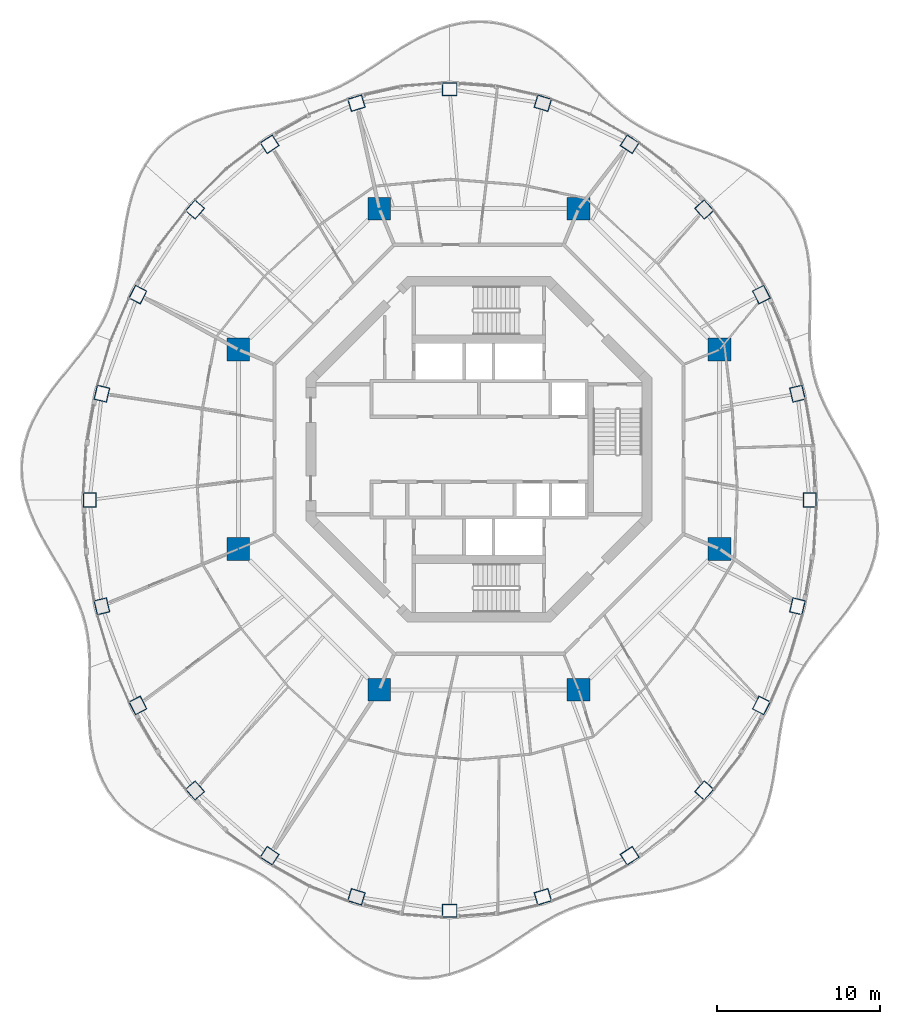
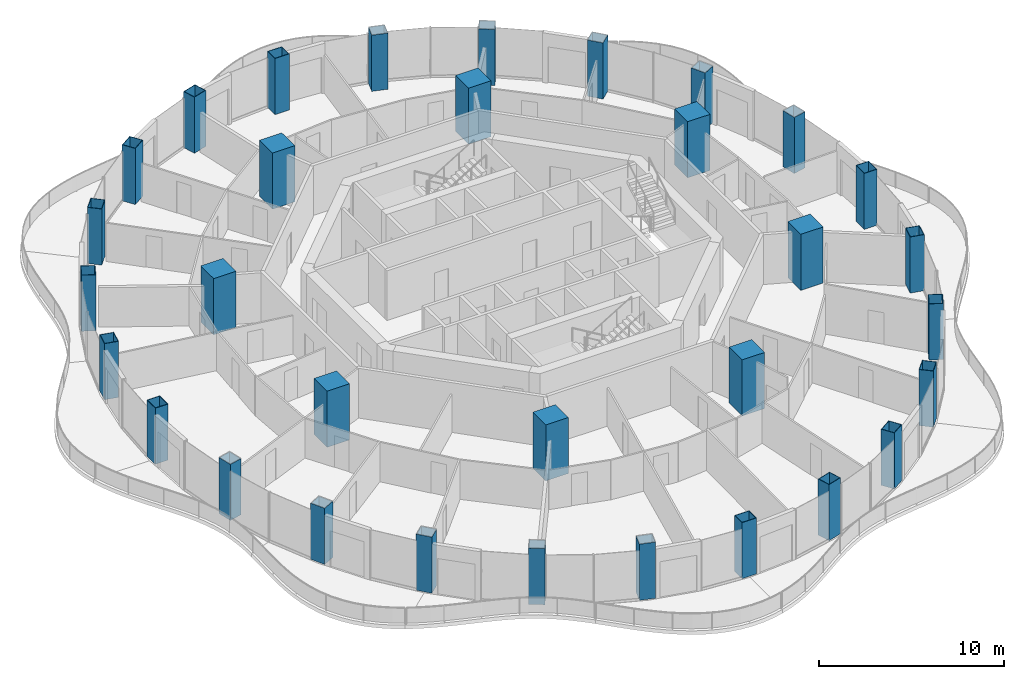
# One storey, part 1 of 17: 32 columns.
"""IFC4 building model written with IfcOpenShell, lengths in metres."""

import ifcopenshell
import ifcopenshell.guid

model = None  # the IFC model being written
_history = None  # IfcOwnerHistory: only IFC2X3 demands one
_inside = {}  # id of a spatial element -> (the spatial element, [elements in it])
_under = {}  # id of a project, library or spatial element -> (it, [spatial elements below it])
_declared = {}  # id of a project -> (the project, [libraries it declares])
_typed = {}  # id of a type object -> (the type object, [elements of that type])
_made_of = {}  # id of a material, layer set ... -> (it, [elements and type objects made of it])


def new_model(schema):
    """Start an empty IFC model of exactly this schema.

    Asked for "IFC4X3", IfcOpenShell would pick the latest addendum, in which some entities
    have other attributes; the version numbers below select the first issue.
    IFC2X3 requires an IfcOwnerHistory on every rooted entity: one is made here for all.
    """
    global model, _history
    if schema == "IFC4X3":
        model = ifcopenshell.file(schema_version=(4, 3, 0, 0))
    else:
        model = ifcopenshell.file(schema=schema)
    _inside.clear()
    _under.clear()
    _declared.clear()
    _typed.clear()
    _made_of.clear()
    _history = None
    if model.schema == "IFC2X3":
        org = make("IfcOrganization", Name="unknown")
        user = make(
            "IfcPersonAndOrganization",
            ThePerson=make("IfcPerson", FamilyName="unknown"),
            TheOrganization=org,
        )
        app = make(
            "IfcApplication",
            ApplicationDeveloper=org,
            Version="unknown",
            ApplicationFullName="unknown",
            ApplicationIdentifier="unknown",
        )
        _history = make(
            "IfcOwnerHistory",
            OwningUser=user,
            OwningApplication=app,
            ChangeAction="ADDED",
            CreationDate=0,
        )
    return model


def make(cls, **values):
    """One entity of the class cls with the attributes given. An attribute that is None is left unset."""
    return model.create_entity(
        cls, **{name: value for name, value in values.items() if value is not None}
    )


def rooted(cls, **values):
    """An entity with a GlobalId (a new one), such as an element, a storey or a relation."""
    return make(cls, GlobalId=ifcopenshell.guid.new(), OwnerHistory=_history, **values)


def si_unit(unit_type, name, prefix=None):
    """IfcSIUnit, for example si_unit("LENGTHUNIT", "METRE", prefix="MILLI")."""
    return make("IfcSIUnit", UnitType=unit_type, Prefix=prefix, Name=name)


def assignment(units):
    """IfcUnitAssignment: the units of a project."""
    return None if units is None else make("IfcUnitAssignment", Units=units)


def point(xyz):
    """IfcCartesianPoint."""
    return None if xyz is None else make("IfcCartesianPoint", Coordinates=xyz)


def direction(xyz):
    """IfcDirection."""
    return None if xyz is None else make("IfcDirection", DirectionRatios=xyz)


def frame(location, z_axis=None, x_axis=None):
    """IfcAxis2Placement3D, a coordinate frame: its origin and axes. An axis left out is left unset."""
    return make(
        "IfcAxis2Placement3D",
        Location=point(location),
        Axis=direction(z_axis),
        RefDirection=direction(x_axis),
    )


def frame_2d(location, x_axis=None):
    """IfcAxis2Placement2D, a coordinate frame in the plane: its origin and x axis."""
    return make(
        "IfcAxis2Placement2D", Location=point(location), RefDirection=direction(x_axis)
    )


def origin():
    """The frame at (0, 0, 0) with its axes left unset."""
    return frame((0.0, 0.0, 0.0))


def origin_2d():
    """The frame at (0, 0) in the plane with its x axis left unset."""
    return frame_2d((0.0, 0.0))


def place(relative_to, where):
    """IfcLocalPlacement: puts the frame where relative to a parent placement (None: the world)."""
    return make(
        "IfcLocalPlacement", PlacementRelTo=relative_to, RelativePlacement=where
    )


def context(
    kind, dimensions, precision=None, world=None, true_north=None, identifier=None
):
    """IfcGeometricRepresentationContext, for example the 3D "Model" context."""
    return make(
        "IfcGeometricRepresentationContext",
        ContextIdentifier=identifier,
        ContextType=kind,
        CoordinateSpaceDimension=dimensions,
        Precision=precision,
        WorldCoordinateSystem=world,
        TrueNorth=true_north,
    )


def subcontext(parent, identifier, kind, view, scale=None):
    """IfcGeometricRepresentationSubContext, for example "Body" below "Model"."""
    return make(
        "IfcGeometricRepresentationSubContext",
        ContextIdentifier=identifier,
        ContextType=kind,
        ParentContext=parent,
        TargetScale=scale,
        TargetView=view,
    )


def project(units=None, contexts=None):
    """IfcProject with its units and contexts."""
    return rooted(
        "IfcProject",
        Name="project",
        RepresentationContexts=contexts,
        UnitsInContext=assignment(units),
    )


def spatial(cls, under=None, at=None, **own):
    """A site, building, storey or space (cls), placed at a placement, below another one or the project."""
    s = rooted(cls, ObjectPlacement=at, **own)
    if under is not None:
        _under.setdefault(under.id(), (under, []))[1].append(s)
    return s


def profile(cls, at=None, kind="AREA", **sizes):
    """A parametric profile (cls). Its sizes go by their IFC names, for example OverallWidth=200.0."""
    return make(cls, ProfileType=kind, Position=at, **sizes)


def rectangle(**sizes):
    """IfcRectangleProfileDef."""
    return profile("IfcRectangleProfileDef", **sizes)


def hollow_rectangle(**sizes):
    """IfcRectangleHollowProfileDef."""
    return profile("IfcRectangleHollowProfileDef", **sizes)


def extrude(swept, where, along, depth):
    """IfcExtrudedAreaSolid: the profile swept, set in the frame where, extruded along a direction by depth."""
    return make(
        "IfcExtrudedAreaSolid",
        SweptArea=swept,
        Position=where,
        ExtrudedDirection=direction(along),
        Depth=depth,
    )


def shape(context_of_items, identifier, shape_type, items):
    """IfcShapeRepresentation: the items that make up one representation, for example the "Body"."""
    return make(
        "IfcShapeRepresentation",
        ContextOfItems=context_of_items,
        RepresentationIdentifier=identifier,
        RepresentationType=shape_type,
        Items=items,
    )


def material(Name=None, Category=None):
    """IfcMaterial."""
    return make("IfcMaterial", Name=Name, Category=Category)


def material_profile(
    of_material, cross_section, Name=None, Category=None, Priority=None
):
    """IfcMaterialProfile: a cross section and its material."""
    return make(
        "IfcMaterialProfile",
        Name=Name,
        Material=of_material,
        Profile=cross_section,
        Priority=Priority,
        Category=Category,
    )


def profile_set(profiles, Name=None, composite=None):
    """IfcMaterialProfileSet."""
    return make(
        "IfcMaterialProfileSet",
        Name=Name,
        MaterialProfiles=profiles,
        CompositeProfile=composite,
    )


def made_of(thing, what):
    """Note that an element or type object is made of a material, layer set ...; save() writes the relation."""
    if what is not None:
        _made_of.setdefault(what.id(), (what, []))[1].append(thing)
    return thing


def type_object(cls, material=None, **own):
    """A type object (cls), such as IfcWallType, which elements share."""
    return made_of(rooted(cls, **own), material)


def element(
    cls,
    number,
    at=None,
    inside=None,
    cuts=None,
    type_object=None,
    material=None,
    context=None,
    identifier="Body",
    shape_type=None,
    held_by="IfcProductDefinitionShape",
    body=None,
    shapes=None,
    **own,
):
    """One element of the class cls, such as IfcWall. Its Tag is "e" and its number.

    at: its placement. inside: the storey or other place that contains it. cuts: it is an
    opening in that element (IfcRelVoidsElement). A single representation is given by context,
    identifier, shape_type and body (its items); several are given by shapes. held_by: the class
    of the entity that holds the representations. save() writes the other relations.
    """
    e = rooted(cls, Tag="e%d" % number, ObjectPlacement=at, **own)
    if body is not None:
        shapes = [shape(context, identifier, shape_type, body)]
    if shapes is not None:
        e.Representation = make(held_by, Representations=shapes)
    if inside is not None:
        _inside.setdefault(inside.id(), (inside, []))[1].append(e)
    if cuts is not None:
        rooted(
            "IfcRelVoidsElement", RelatingBuildingElement=cuts, RelatedOpeningElement=e
        )
    if type_object is not None:
        _typed.setdefault(type_object.id(), (type_object, []))[1].append(e)
    return made_of(e, material)


def aggregate(whole, parts):
    """IfcRelAggregates: a whole, such as a stair, and the parts it consists of."""
    return rooted("IfcRelAggregates", RelatingObject=whole, RelatedObjects=parts)


def save(model, path):
    """Write the relations noted so far, then the file.

    IfcRelAggregates (storeys below a building ...), IfcRelContainedInSpatialStructure (elements
    in a storey), IfcRelDefinesByType, IfcRelAssociatesMaterial and IfcRelDeclares: one each for
    every whole, place, type object, material and project.
    """
    for whole, parts in _under.values():
        aggregate(whole, parts)
    for where, things in _inside.values():
        rooted(
            "IfcRelContainedInSpatialStructure",
            RelatedElements=things,
            RelatingStructure=where,
        )
    for kind, things in _typed.values():
        rooted("IfcRelDefinesByType", RelatedObjects=things, RelatingType=kind)
    for what, things in _made_of.values():
        rooted("IfcRelAssociatesMaterial", RelatedObjects=things, RelatingMaterial=what)
    for by, libraries in _declared.values():
        rooted("IfcRelDeclares", RelatingContext=by, RelatedDefinitions=libraries)
    model.write(path)


model = new_model("IFC4")

# Units and contexts
model_context = context("Model", 3, precision=1e-05, world=origin(), true_north=direction((0.0, 1.0)))
body_context = subcontext(model_context, "Body", "Model", "MODEL_VIEW")
ifc_project = project(units=[si_unit("LENGTHUNIT", "METRE"), si_unit("AREAUNIT", "SQUARE_METRE"), si_unit("VOLUMEUNIT", "CUBIC_METRE"), si_unit("PLANEANGLEUNIT", "RADIAN"), si_unit("MASSUNIT", "GRAM", prefix="KILO")], contexts=[model_context])

# Site, building, storey
site_placement = place(None, origin())
site = spatial("IfcSite", under=ifc_project, at=site_placement, CompositionType="ELEMENT")
building_placement = place(site_placement, origin())
building = spatial("IfcBuilding", under=site, at=building_placement, Name="Nagisa Residences", CompositionType="ELEMENT")
storey_placement = place(building_placement, frame((0.0, 0.0, 295.5)))
storey = spatial("IfcBuildingStorey", under=building, at=storey_placement, Name="L75", CompositionType="ELEMENT", Elevation=295.5)

# Columns
ifc_material_1 = material(Name="Concrete C80", Category="concrete")
ifc_material_profile_1 = material_profile(ifc_material_1, rectangle(XDim=1.39990234375, YDim=1.39990234375, at=origin_2d()), Name="C80 1400x1400")
ifc_profile_set_1 = profile_set([ifc_material_profile_1], Name="Concrete C80")
column_type_1 = type_object("IfcColumnType", Name="Inner megacolumn C80 1400x1400", PredefinedType="COLUMN", material=ifc_profile_set_1)
for number, where, z_axis, x_axis, name in (
    (1, (14.781982421875, 6.123046875, 0.0), (0.0, 0.0, 1.0), (1.0, 0.0, 0.0), "col:L75:i1"),
    (2, (6.123046875, 14.781982421875, 0.0), (0.0, 0.0, 1.0), (1.0, 0.0, 0.0), "col:L75:i2"),
    (3, (-6.123046875, 14.781982421875, 0.0), (0.0, 0.0, 1.0), (1.0, 0.0, 0.0), "col:L75:i3"),
    (4, (-14.781982421875, 6.123046875, 0.0), (0.0, 0.0, 1.0), (1.0, 0.0, 0.0), "col:L75:i4"),
    (5, (-14.781982421875, -6.123046875, 0.0), (0.0, 0.0, 1.0), (1.0, 0.0, 0.0), "col:L75:i5"),
    (6, (-6.123046875, -14.781982421875, 0.0), (0.0, 0.0, 1.0), (1.0, 0.0, 0.0), "col:L75:i6"),
    (7, (6.123046875, -14.781982421875, 0.0), (0.0, 0.0, 1.0), (1.0, 0.0, 0.0), "col:L75:i7"),
    (8, (14.781982421875, -6.123046875, 0.0), (0.0, 0.0, 1.0), (1.0, 0.0, 0.0), "col:L75:i8"),
):
    element("IfcColumn", number, at=place(storey_placement, frame(where, z_axis=z_axis, x_axis=x_axis)), inside=storey, type_object=column_type_1, Name=name, PredefinedType="COLUMN", context=body_context, shape_type="SweptSolid", body=[
        extrude(rectangle(XDim=1.39990234375, YDim=1.39990234375, at=origin_2d()), origin(), (0.0, 0.0, 1.0), 3.699951171875),
    ])
ifc_material_2 = material(Name="Steel ASTM A572 Gr 50", Category="steel")
ifc_material_profile_2 = material_profile(ifc_material_2, hollow_rectangle(XDim=0.89990234375, YDim=0.800048828125, WallThickness=0.028076171875, at=origin_2d()), Name="BX 900x800x28")
ifc_profile_set_2 = profile_set([ifc_material_profile_2], Name="Steel ASTM A572 Gr 50")
column_type_2 = type_object("IfcColumnType", Name="Perimeter column BX 900x800x28", PredefinedType="COLUMN", material=ifc_profile_set_2)
for number, where, z_axis, x_axis, name in (
    (9, (20.320068359375, -3.11767578125, 0.0), (0.0, 0.0, 1.0), (0.0, 1.0, 0.0), "col:L75:p00"),
    (10, (19.566162109375, 3.414794921875, 0.0), (0.0, 0.0, 1.0), (-0.229202013103, 0.973378876486, 0.0), "col:L75:p01"),
    (11, (17.3564453125, 9.502197265625, 0.0), (0.0, 0.0, 1.0), (-0.452462697578, 0.891783329795, 0.0), "col:L75:p02"),
    (12, (13.84130859375, 14.729736328125, 0.0), (0.0, 0.0, 1.0), (-0.660114607735, 0.751164898445, 0.0), "col:L75:p03"),
    (13, (9.260009765625, 18.74072265625, 0.0), (0.0, 0.0, 1.0), (-0.835766105673, 0.54908561865, 0.0), "col:L75:p04"),
    (14, (3.925048828125, 21.26220703125, 0.0), (0.0, 0.0, 1.0), (-0.956524583408, 0.291651712384, 0.0), "col:L75:p05"),
    (15, (-1.800048828125, 22.122314453125, 0.0), (0.0, 0.0, 1.0), (-1.0, 0.0, 0.0), "col:L75:p06"),
    (16, (-7.525146484375, 21.26220703125, 0.0), (0.0, 0.0, 1.0), (-0.956524583408, -0.291651712384, 0.0), "col:L75:p07"),
    (17, (-12.860107421875, 18.74072265625, 0.0), (0.0, 0.0, 1.0), (-0.835766105673, -0.54908561865, 0.0), "col:L75:p08"),
    (18, (-17.441162109375, 14.729736328125, 0.0), (0.0, 0.0, 1.0), (-0.660114607735, -0.751164898445, 0.0), "col:L75:p09"),
    (19, (-20.95654296875, 9.502197265625, 0.0), (0.0, 0.0, 1.0), (-0.452462697578, -0.891783329795, 0.0), "col:L75:p10"),
    (20, (-23.166259765625, 3.414794921875, 0.0), (0.0, 0.0, 1.0), (-0.229202013103, -0.973378876486, 0.0), "col:L75:p11"),
    (21, (-23.919921875, -3.11767578125, 0.0), (0.0, 0.0, 1.0), (0.0, -1.0, 0.0), "col:L75:p12"),
    (22, (-23.166259765625, -9.650390625, 0.0), (0.0, 0.0, 1.0), (0.229202013103, -0.973378876486, 0.0), "col:L75:p13"),
    (23, (-20.95654296875, -15.73779296875, 0.0), (0.0, 0.0, 1.0), (0.452462697578, -0.891783329795, 0.0), "col:L75:p14"),
    (24, (-17.441162109375, -20.965087890625, 0.0), (0.0, 0.0, 1.0), (0.660114607735, -0.751164898445, 0.0), "col:L75:p15"),
    (25, (-12.860107421875, -24.97607421875, 0.0), (0.0, 0.0, 1.0), (0.835766105673, -0.54908561865, 0.0), "col:L75:p16"),
    (26, (-7.525146484375, -27.49755859375, 0.0), (0.0, 0.0, 1.0), (0.956524583408, -0.291651712384, 0.0), "col:L75:p17"),
    (27, (-1.800048828125, -28.357666015625, 0.0), (0.0, 0.0, 1.0), (1.0, 0.0, 0.0), "col:L75:p18"),
    (28, (3.925048828125, -27.49755859375, 0.0), (0.0, 0.0, 1.0), (0.956524583408, 0.291651712384, 0.0), "col:L75:p19"),
    (29, (9.260009765625, -24.97607421875, 0.0), (0.0, 0.0, 1.0), (0.835766105673, 0.54908561865, 0.0), "col:L75:p20"),
    (30, (13.84130859375, -20.965087890625, 0.0), (0.0, 0.0, 1.0), (0.660114607735, 0.751164898445, 0.0), "col:L75:p21"),
    (31, (17.3564453125, -15.73779296875, 0.0), (0.0, 0.0, 1.0), (0.452462697578, 0.891783329795, 0.0), "col:L75:p22"),
    (32, (19.566162109375, -9.650390625, 0.0), (0.0, 0.0, 1.0), (0.229202013103, 0.973378876486, 0.0), "col:L75:p23"),
):
    element("IfcColumn", number, at=place(storey_placement, frame(where, z_axis=z_axis, x_axis=x_axis)), inside=storey, type_object=column_type_2, Name=name, PredefinedType="COLUMN", context=body_context, shape_type="SweptSolid", body=[
        extrude(hollow_rectangle(XDim=0.89990234375, YDim=0.800048828125, WallThickness=0.028076171875, at=origin_2d()), origin(), (0.0, 0.0, 1.0), 3.699951171875),
    ])

save(model, "model.ifc")
